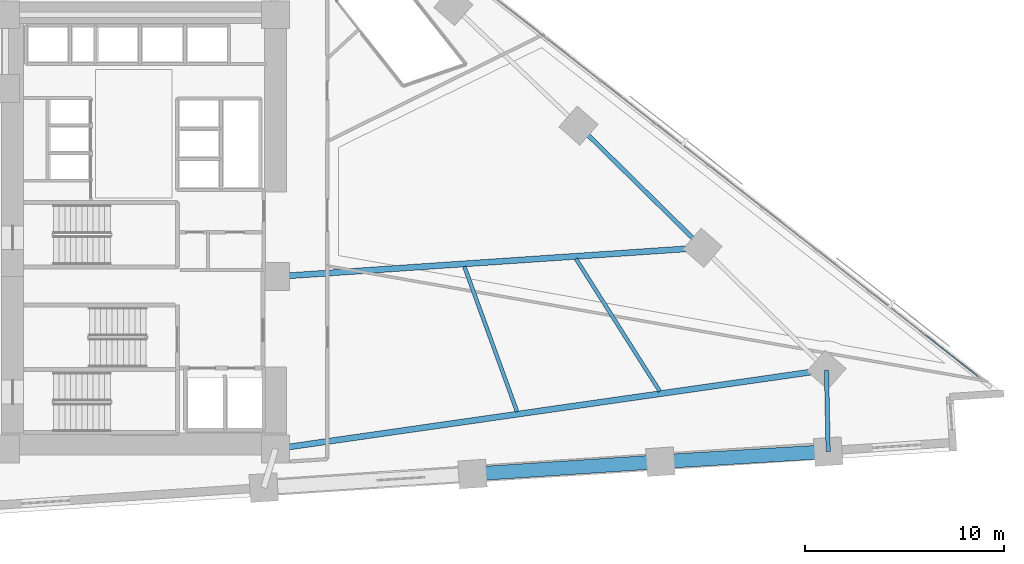
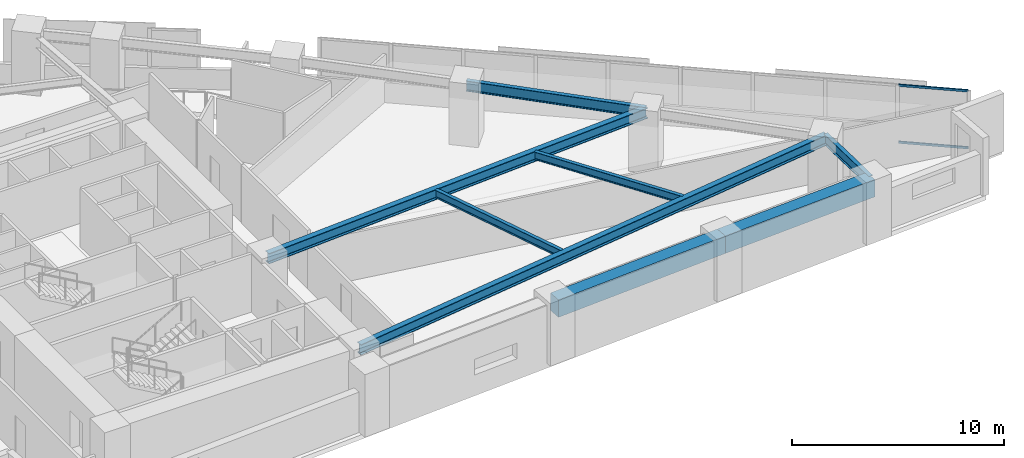
# One storey, part 3 of 15: 8 beams, 2 members, 1 element without a shape of its own.
"""IFC4 building model written with IfcOpenShell, lengths in metres."""

from ifc_helpers import new_model, si_unit, direction, frame, origin, origin_2d, place, context, subcontext, project, spatial, rectangle, hollow_rectangle, i_section, extrude, material, material_profile, profile_set, type_object, element, aggregate, save


model = new_model("IFC4")

# Units and contexts
model_context = context("Model", 3, precision=1e-05, world=origin(), true_north=direction((0.0, 1.0)))
body_context = subcontext(model_context, "Body", "Model", "MODEL_VIEW")
ifc_project = project(units=[si_unit("LENGTHUNIT", "METRE"), si_unit("AREAUNIT", "SQUARE_METRE"), si_unit("VOLUMEUNIT", "CUBIC_METRE"), si_unit("PLANEANGLEUNIT", "RADIAN"), si_unit("MASSUNIT", "GRAM", prefix="KILO")], contexts=[model_context])

# Site, building, storey
site_placement = place(None, origin())
site = spatial("IfcSite", under=ifc_project, at=site_placement, CompositionType="ELEMENT")
building_placement = place(site_placement, origin())
building = spatial("IfcBuilding", under=site, at=building_placement, Name="Narakoshi Arena Tower", CompositionType="ELEMENT")
storey_placement = place(building_placement, frame((0.0, 0.0, 74.10009765625)))
storey = spatial("IfcBuildingStorey", under=building, at=storey_placement, Name="L19", CompositionType="ELEMENT", Elevation=74.10009765625)

# Beams
ifc_material_1 = material(Name="Concrete C60/75", Category="concrete")
ifc_material_profile_1 = material_profile(ifc_material_1, rectangle(XDim=0.699951171875, YDim=1.0, at=origin_2d()), Name="RCB700x1000")
ifc_profile_set_1 = profile_set([ifc_material_profile_1], Name="Concrete C60/75")
beam_type_1 = type_object("IfcBeamType", Name="BM-CPL-1000", PredefinedType="BEAM", material=ifc_profile_set_1)
beam_1_placement = place(storey_placement, frame((95.44189453125, 33.43798828125, 2.83984375), z_axis=(0.997857667494, 0.065422285367, 0.0), x_axis=(-0.065422285367, 0.997857667494, 0.0)))
element("IfcBeam", 1, at=beam_1_placement, inside=storey, type_object=beam_type_1, Name="L19 Perimeter Edge Girder 02", PredefinedType="BEAM", context=body_context, shape_type="SweptSolid", body=[
    extrude(rectangle(XDim=0.699951171875, YDim=1.0, at=origin_2d()), origin(), (0.0, 0.0, 1.0), 9.456298828125),
])
beam_2_placement = place(storey_placement, frame((104.8779296875, 34.056640625, 2.83984375), z_axis=(0.998193929855, 0.060073941104, 0.0), x_axis=(-0.060073941104, 0.998193929855, 0.0)))
element("IfcBeam", 2, at=beam_2_placement, inside=storey, type_object=beam_type_1, Name="L19 Perimeter Edge Girder 03", PredefinedType="BEAM", context=body_context, shape_type="SweptSolid", body=[
    extrude(rectangle(XDim=0.699951171875, YDim=1.0, at=origin_2d()), origin(), (0.0, 0.0, 1.0), 8.436767578125),
])
ifc_material_2 = material(Name="Structural steel S355J2", Category="steel")
ifc_material_profile_2 = material_profile(ifc_material_2, i_section(OverallWidth=0.219970703125, OverallDepth=0.60009765625, WebThickness=0.011962890625, FlangeThickness=0.01904296875, FilletRadius=0.02392578125, at=origin_2d()), Name="IPE600")
ifc_profile_set_2 = profile_set([ifc_material_profile_2], Name="Structural steel S355J2")
beam_type_2 = type_object("IfcBeamType", Name="BM-EDGE-600", PredefinedType="BEAM", material=ifc_profile_set_2)
beam_3_placement = place(storey_placement, frame((113.299560546875, 34.5634765625, 3.039794921875), z_axis=(-0.020272933264, 0.99979448297, 0.0), x_axis=(-0.99979448297, -0.020272933264, 0.0)))
element("IfcBeam", 3, at=beam_3_placement, inside=storey, type_object=beam_type_2, Name="L19 Perimeter Edge Girder 04", PredefinedType="BEAM", context=body_context, shape_type="SweptSolid", body=[
    extrude(i_section(OverallWidth=0.219970703125, OverallDepth=0.60009765625, WebThickness=0.011962890625, FlangeThickness=0.01904296875, FilletRadius=0.02392578125, at=origin_2d()), origin(), (0.0, 0.0, 1.0), 4.1064453125),
])
beam_4_placement = place(storey_placement, frame((106.989990234375, 44.800537109375, 3.039794921875), z_axis=(-0.71256144736, 0.701609708981, 0.0), x_axis=(-0.701609708981, -0.71256144736, 0.0)))
element("IfcBeam", 4, at=beam_4_placement, inside=storey, type_object=beam_type_2, Name="L19 Perimeter Edge Girder 06", PredefinedType="BEAM", context=body_context, shape_type="SweptSolid", body=[
    extrude(i_section(OverallWidth=0.219970703125, OverallDepth=0.60009765625, WebThickness=0.011962890625, FlangeThickness=0.01904296875, FilletRadius=0.02392578125, at=origin_2d()), origin(), (0.0, 0.0, 1.0), 8.738525390625),
])
ifc_material_profile_3 = material_profile(ifc_material_2, i_section(OverallWidth=0.300048828125, OverallDepth=0.60009765625, WebThickness=0.015380859375, FlangeThickness=0.030029296875, FilletRadius=0.027099609375, at=origin_2d()), Name="HE600B")
ifc_profile_set_3 = profile_set([ifc_material_profile_3], Name="Structural steel S355J2")
beam_type_3 = type_object("IfcBeamType", Name="BM-PRI-600", PredefinedType="BEAM", material=ifc_profile_set_3)
beam_5_placement = place(storey_placement, frame((85.550048828125, 34.699951171875, 3.039794921875), z_axis=(0.989864586002, 0.142014440741, 0.0), x_axis=(-0.142014440741, 0.989864586002, 0.0)))
element("IfcBeam", 5, at=beam_5_placement, inside=storey, type_object=beam_type_3, Name="L19 Radial Primary Floor Girder 05", PredefinedType="BEAM", context=body_context, shape_type="SweptSolid", body=[
    extrude(i_section(OverallWidth=0.300048828125, OverallDepth=0.60009765625, WebThickness=0.015380859375, FlangeThickness=0.030029296875, FilletRadius=0.027099609375, at=origin_2d()), origin(), (0.0, 0.0, 1.0), 27.949462890625),
])
beam_6_placement = place(storey_placement, frame((85.550048828125, 43.35009765625, 3.039794921875), z_axis=(0.997719477205, 0.067496998498, 0.0), x_axis=(-0.067496998498, 0.997719477205, 0.0)))
element("IfcBeam", 6, at=beam_6_placement, inside=storey, type_object=beam_type_3, Name="L19 Radial Primary Floor Girder 06", PredefinedType="BEAM", context=body_context, shape_type="SweptSolid", body=[
    extrude(i_section(OverallWidth=0.300048828125, OverallDepth=0.60009765625, WebThickness=0.015380859375, FlangeThickness=0.030029296875, FilletRadius=0.027099609375, at=origin_2d()), origin(), (0.0, 0.0, 1.0), 21.489013671875),
])
ifc_material_profile_4 = material_profile(ifc_material_2, i_section(OverallWidth=0.18994140625, OverallDepth=0.449951171875, WebThickness=0.009521484375, FlangeThickness=0.0146484375, FilletRadius=0.02099609375, at=origin_2d()), Name="IPE450")
ifc_profile_set_4 = profile_set([ifc_material_profile_4], Name="Structural steel S355J2")
beam_type_4 = type_object("IfcBeamType", Name="BM-SEC-450", PredefinedType="JOIST", material=ifc_profile_set_4)
beam_7_placement = place(storey_placement, frame((97.677001953125, 36.573486328125, 3.114990234375), z_axis=(-0.341439671646, 0.939903692208, 0.0), x_axis=(-0.939903692208, -0.341439671646, 0.0)))
element("IfcBeam", 7, at=beam_7_placement, inside=storey, type_object=beam_type_4, Name="L19 Composite Secondary Floor Joist 01", PredefinedType="JOIST", context=body_context, shape_type="SweptSolid", body=[
    extrude(i_section(OverallWidth=0.18994140625, OverallDepth=0.449951171875, WebThickness=0.009521484375, FlangeThickness=0.0146484375, FilletRadius=0.02099609375, at=origin_2d()), origin(), (0.0, 0.0, 1.0), 7.75390625),
])
beam_8_placement = place(storey_placement, frame((104.84423828125, 37.592529296875, 3.114990234375), z_axis=(-0.534774912476, 0.844994552046, 0.0), x_axis=(-0.844994552046, -0.534774912476, 0.0)))
element("IfcBeam", 8, at=beam_8_placement, inside=storey, type_object=beam_type_4, Name="L19 Composite Secondary Floor Joist 02", PredefinedType="JOIST", context=body_context, shape_type="SweptSolid", body=[
    extrude(i_section(OverallWidth=0.18994140625, OverallDepth=0.449951171875, WebThickness=0.009521484375, FlangeThickness=0.0146484375, FilletRadius=0.02099609375, at=origin_2d()), origin(), (0.0, 0.0, 1.0), 7.880126953125),
])

# Curtain wall, members
ifc_material_3 = material(Name="Anodised bronze aluminium 6063-T6", Category="aluminium")
curtain_wall_type = type_object("IfcCurtainWallType", Name="CW-HYP-LOW", PredefinedType="NOTDEFINED", material=ifc_material_3)
curtain_wall_placement = place(storey_placement, origin())
curtain_wall = element("IfcCurtainWall", 9, at=curtain_wall_placement, inside=storey, type_object=curtain_wall_type, Name="L19 Folded Hypotenuse Curtain Wall 1-1", PredefinedType="NOTDEFINED")
ifc_material_profile_5 = material_profile(ifc_material_3, hollow_rectangle(XDim=0.06494140625, YDim=0.1298828125, WallThickness=0.00390625, OuterFilletRadius=0.0048828125, at=origin_2d()), Name="TRN130x65x4")
ifc_profile_set_5 = profile_set([ifc_material_profile_5], Name="Anodised bronze aluminium 6063-T6")
member_type = type_object("IfcMemberType", Name="MEM-TRN-130", PredefinedType="USERDEFINED", material=ifc_profile_set_5)
member_1_placement = place(storey_placement, frame((120.802978515625, 38.359130859375, 0.032470703125), z_axis=(-0.787347227026, 0.616509808596, 0.0), x_axis=(-0.616509808596, -0.787347227026, 0.0)))
member_1 = element("IfcMember", 10, at=member_1_placement, type_object=member_type, Name="CW-01 transom 1.1", ObjectType="TRANSOM", PredefinedType="USERDEFINED", context=body_context, shape_type="SweptSolid", body=[
    extrude(hollow_rectangle(XDim=0.06494140625, YDim=0.1298828125, WallThickness=0.00390625, OuterFilletRadius=0.0048828125, at=origin_2d()), origin(), (0.0, 0.0, 1.0), 3.331298828125),
])
member_2_placement = place(storey_placement, frame((120.802978515625, 38.359130859375, 3.307373046875), z_axis=(-0.787347227026, 0.616509808596, 0.0), x_axis=(-0.616509808596, -0.787347227026, 0.0)))
member_2 = element("IfcMember", 11, at=member_2_placement, type_object=member_type, Name="CW-01 transom 1.2", ObjectType="TRANSOM", PredefinedType="USERDEFINED", context=body_context, shape_type="SweptSolid", body=[
    extrude(hollow_rectangle(XDim=0.06494140625, YDim=0.1298828125, WallThickness=0.00390625, OuterFilletRadius=0.0048828125, at=origin_2d()), origin(), (0.0, 0.0, 1.0), 3.331298828125),
])
aggregate(curtain_wall, [member_1, member_2])

save(model, "model.ifc")
